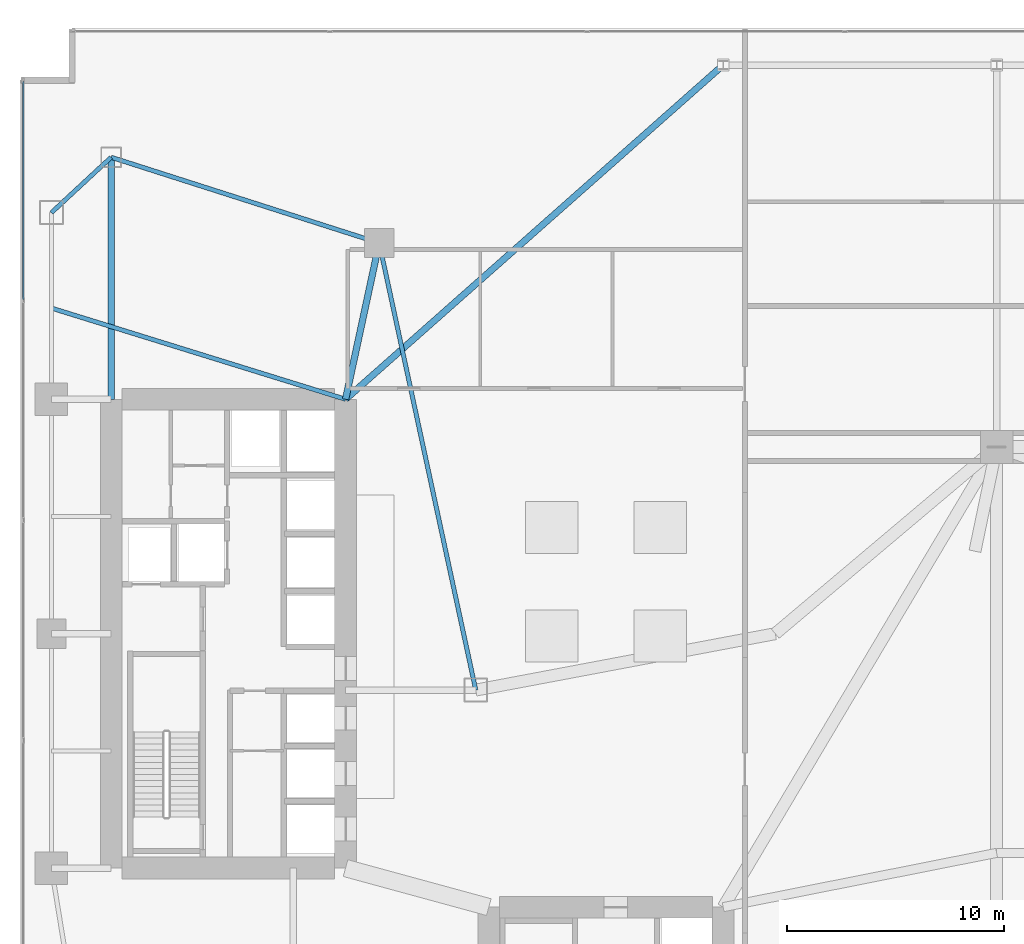
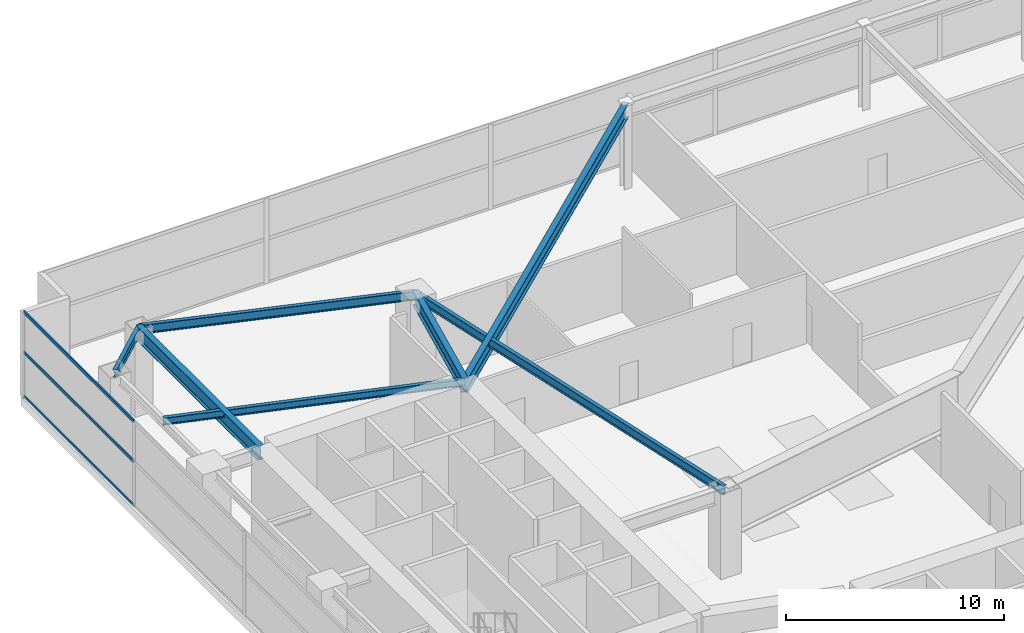
# One storey, part 15 of 36: 7 beams, 3 members, 1 element without a shape of its own.
"""IFC4 building model written with IfcOpenShell, lengths in metres."""

from ifc_helpers import new_model, si_unit, direction, frame, origin, origin_2d, place, context, subcontext, project, spatial, hollow_rectangle, i_section, extrude, material, layer, layer_set, material_profile, profile_set, type_object, element, aggregate, save


model = new_model("IFC4")

# Units and contexts
model_context = context("Model", 3, precision=1e-05, world=origin(), true_north=direction((0.0, 1.0)))
body_context = subcontext(model_context, "Body", "Model", "MODEL_VIEW")
ifc_project = project(units=[si_unit("LENGTHUNIT", "METRE"), si_unit("AREAUNIT", "SQUARE_METRE"), si_unit("VOLUMEUNIT", "CUBIC_METRE"), si_unit("PLANEANGLEUNIT", "RADIAN"), si_unit("MASSUNIT", "GRAM", prefix="KILO")], contexts=[model_context])

# Site, building, storey
site_placement = place(None, origin())
site = spatial("IfcSite", under=ifc_project, at=site_placement, CompositionType="ELEMENT")
building_placement = place(site_placement, origin())
building = spatial("IfcBuilding", under=site, at=building_placement, Name="Calvorn Quay Hotel", CompositionType="ELEMENT")
storey_placement = place(building_placement, frame((0.0, 0.0, 22.0)))
storey = spatial("IfcBuildingStorey", under=building, at=storey_placement, Name="L04", CompositionType="ELEMENT", Elevation=22.0)

# Beams
ifc_material_1 = material(Name="Steel Q390GJC", Category="steel")
ifc_material_profile_1 = material_profile(ifc_material_1, i_section(OverallWidth=0.300048828125, OverallDepth=0.800048828125, WebThickness=0.013916015625, FlangeThickness=0.02587890625, FilletRadius=0.02392578125, at=origin_2d()), Name="HN800x300x14x26")
ifc_profile_set_1 = profile_set([ifc_material_profile_1], Name="Steel Q390GJC")
beam_type_1 = type_object("IfcBeamType", Name="BM-GIRD-POD", PredefinedType="BEAM", material=ifc_profile_set_1)
beam_1_placement = place(storey_placement, frame((4.199951171875, 49.550048828125, 4.340087890625), z_axis=(0.0, -1.0, 0.0), x_axis=(1.0, 0.0, 0.0)))
element("IfcBeam", 1, at=beam_1_placement, inside=storey, type_object=beam_type_1, Name="Beam BG-L04-W5", PredefinedType="BEAM", context=body_context, shape_type="SweptSolid", body=[
    extrude(i_section(OverallWidth=0.300048828125, OverallDepth=0.800048828125, WebThickness=0.013916015625, FlangeThickness=0.02587890625, FilletRadius=0.02392578125, at=origin_2d()), origin(), (0.0, 0.0, 1.0), 11.150146484375),
])
beam_2_placement = place(storey_placement, frame((16.550048828125, 45.60009765625, 4.340087890625), z_axis=(-0.210457140491, -0.97760308511, 0.0), x_axis=(0.97760308511, -0.210457140491, 0.0)))
element("IfcBeam", 2, at=beam_2_placement, inside=storey, type_object=beam_type_1, Name="Beam BG-L04-W6", PredefinedType="BEAM", context=body_context, shape_type="SweptSolid", body=[
    extrude(i_section(OverallWidth=0.300048828125, OverallDepth=0.800048828125, WebThickness=0.013916015625, FlangeThickness=0.02587890625, FilletRadius=0.02392578125, at=origin_2d()), origin(), (0.0, 0.0, 1.0), 7.365234375),
])
beam_3_placement = place(storey_placement, frame((15.0, 38.39990234375, 4.340087890625), z_axis=(0.748827276571, 0.662765199647, 0.0), x_axis=(-0.662765199647, 0.748827276571, 0.0)))
element("IfcBeam", 3, at=beam_3_placement, inside=storey, type_object=beam_type_1, Name="Beam BG-L04-PN4", PredefinedType="BEAM", context=body_context, shape_type="SweptSolid", body=[
    extrude(i_section(OverallWidth=0.300048828125, OverallDepth=0.800048828125, WebThickness=0.013916015625, FlangeThickness=0.02587890625, FilletRadius=0.02392578125, at=origin_2d()), origin(), (0.0, 0.0, 1.0), 23.236083984375),
])
ifc_material_2 = material(Name="Steel Q355B", Category="steel")
ifc_material_profile_2 = material_profile(ifc_material_2, i_section(OverallWidth=0.199951171875, OverallDepth=0.39990234375, WebThickness=0.008056640625, FlangeThickness=0.012939453125, FilletRadius=0.01611328125, at=origin_2d()), Name="HN400x200x8x13")
ifc_profile_set_2 = profile_set([ifc_material_profile_2], Name="Steel Q355B")
beam_type_2 = type_object("IfcBeamType", Name="BM-JOIST-TYP", PredefinedType="JOIST", material=ifc_profile_set_2)
beam_4_placement = place(storey_placement, frame((1.449951171875, 42.60009765625, 4.5400390625), z_axis=(0.955163702122, -0.296078202759, 0.0), x_axis=(0.296078202759, 0.955163702122, 0.0)))
element("IfcBeam", 4, at=beam_4_placement, inside=storey, type_object=beam_type_2, Name="Beam BJ-L04-W2", PredefinedType="JOIST", context=body_context, shape_type="SweptSolid", body=[
    extrude(i_section(OverallWidth=0.199951171875, OverallDepth=0.39990234375, WebThickness=0.008056640625, FlangeThickness=0.012939453125, FilletRadius=0.01611328125, at=origin_2d()), origin(), (0.0, 0.0, 1.0), 14.18603515625),
])
ifc_material_3 = material(Name="Steel Q355B", Category="steel")
ifc_material_profile_3 = material_profile(ifc_material_3, i_section(OverallWidth=0.199951171875, OverallDepth=0.5, WebThickness=0.010009765625, FlangeThickness=0.01611328125, FilletRadius=0.01611328125, at=origin_2d()), Name="HN500x200x10x16")
ifc_profile_set_3 = profile_set([ifc_material_profile_3], Name="Steel Q355B")
beam_type_3 = type_object("IfcBeamType", Name="BM-SPANDREL-Z1", PredefinedType="SPANDREL", material=ifc_profile_set_3)
beam_5_placement = place(storey_placement, frame((1.449951171875, 47.0, 4.489990234375), z_axis=(0.733261665538, 0.679946563969, 0.0), x_axis=(-0.679946563969, 0.733261665538, 0.0)))
element("IfcBeam", 5, at=beam_5_placement, inside=storey, type_object=beam_type_3, Name="Beam BSP-L04-W5", PredefinedType="SPANDREL", context=body_context, shape_type="SweptSolid", body=[
    extrude(i_section(OverallWidth=0.199951171875, OverallDepth=0.5, WebThickness=0.010009765625, FlangeThickness=0.01611328125, FilletRadius=0.01611328125, at=origin_2d()), origin(), (0.0, 0.0, 1.0), 3.75048828125),
])
beam_6_placement = place(storey_placement, frame((4.199951171875, 49.550048828125, 4.489990234375), z_axis=(0.952470702374, -0.304630203885, 0.0), x_axis=(0.304630203885, 0.952470702374, 0.0)))
element("IfcBeam", 6, at=beam_6_placement, inside=storey, type_object=beam_type_3, Name="Beam BSP-L04-W6", PredefinedType="SPANDREL", context=body_context, shape_type="SweptSolid", body=[
    extrude(i_section(OverallWidth=0.199951171875, OverallDepth=0.5, WebThickness=0.010009765625, FlangeThickness=0.01611328125, FilletRadius=0.01611328125, at=origin_2d()), origin(), (0.0, 0.0, 1.0), 12.96630859375),
])
beam_7_placement = place(storey_placement, frame((16.550048828125, 45.60009765625, 4.489990234375), z_axis=(0.211145848376, -0.977454567084, 0.0), x_axis=(0.977454567084, 0.211145848376, 0.0)))
element("IfcBeam", 7, at=beam_7_placement, inside=storey, type_object=beam_type_3, Name="Beam BSP-L04-W7", PredefinedType="SPANDREL", context=body_context, shape_type="SweptSolid", body=[
    extrude(i_section(OverallWidth=0.199951171875, OverallDepth=0.5, WebThickness=0.010009765625, FlangeThickness=0.01611328125, FilletRadius=0.01611328125, at=origin_2d()), origin(), (0.0, 0.0, 1.0), 21.0751953125),
])

# Curtain wall, members
ifc_material_4 = material(Name="Pale Anodised Aluminium and Low-E Glass", Category="aluminium")
ifc_layer = layer(ifc_material_4, 0.219970703125)
ifc_layer_set = layer_set([ifc_layer], Name="CW-SYS-POD")
curtain_wall_type = type_object("IfcCurtainWallType", Name="CW-SYS-POD", PredefinedType="NOTDEFINED", material=ifc_layer_set)
curtain_wall_placement = place(storey_placement, origin())
curtain_wall = element("IfcCurtainWall", 8, at=curtain_wall_placement, inside=storey, type_object=curtain_wall_type, Name="Podium Curtain Wall L04-W1", PredefinedType="NOTDEFINED")
ifc_material_5 = material(Name="Pale Anodised Aluminium 6063-T6", Category="aluminium")
ifc_material_profile_4 = material_profile(ifc_material_5, hollow_rectangle(XDim=0.070068359375, YDim=0.179931640625, WallThickness=0.00390625, at=origin_2d()), Name="ALU-T180x70x4")
ifc_profile_set_4 = profile_set([ifc_material_profile_4], Name="Pale Anodised Aluminium 6063-T6")
member_type = type_object("IfcMemberType", Name="CW-SYS-POD-TRN", PredefinedType="USERDEFINED", material=ifc_profile_set_4)
member_1_placement = place(storey_placement, frame((0.14990234375, 42.989990234375, 0.030029296875), z_axis=(0.0, 1.0, 0.0), x_axis=(-1.0, 0.0, 0.0)))
member_1 = element("IfcMember", 9, at=member_1_placement, type_object=member_type, Name="CW-L04-W1 transom 5.1", ObjectType="TRANSOM", PredefinedType="USERDEFINED", context=body_context, shape_type="SweptSolid", body=[
    extrude(hollow_rectangle(XDim=0.070068359375, YDim=0.179931640625, WallThickness=0.00390625, at=origin_2d()), origin(), (0.0, 0.0, 1.0), 10.050048828125),
])
member_2_placement = place(storey_placement, frame((0.14990234375, 42.989990234375, 2.5), z_axis=(0.0, 1.0, 0.0), x_axis=(-1.0, 0.0, 0.0)))
member_2 = element("IfcMember", 10, at=member_2_placement, type_object=member_type, Name="CW-L04-W1 transom 5.2", ObjectType="TRANSOM", PredefinedType="USERDEFINED", context=body_context, shape_type="SweptSolid", body=[
    extrude(hollow_rectangle(XDim=0.070068359375, YDim=0.179931640625, WallThickness=0.00390625, at=origin_2d()), origin(), (0.0, 0.0, 1.0), 10.050048828125),
])
member_3_placement = place(storey_placement, frame((0.14990234375, 42.989990234375, 4.72998046875), z_axis=(0.0, 1.0, 0.0), x_axis=(-1.0, 0.0, 0.0)))
member_3 = element("IfcMember", 11, at=member_3_placement, type_object=member_type, Name="CW-L04-W1 transom 5.3", ObjectType="TRANSOM", PredefinedType="USERDEFINED", context=body_context, shape_type="SweptSolid", body=[
    extrude(hollow_rectangle(XDim=0.070068359375, YDim=0.179931640625, WallThickness=0.00390625, at=origin_2d()), origin(), (0.0, 0.0, 1.0), 10.050048828125),
])
aggregate(curtain_wall, [member_1, member_2, member_3])

save(model, "model.ifc")
